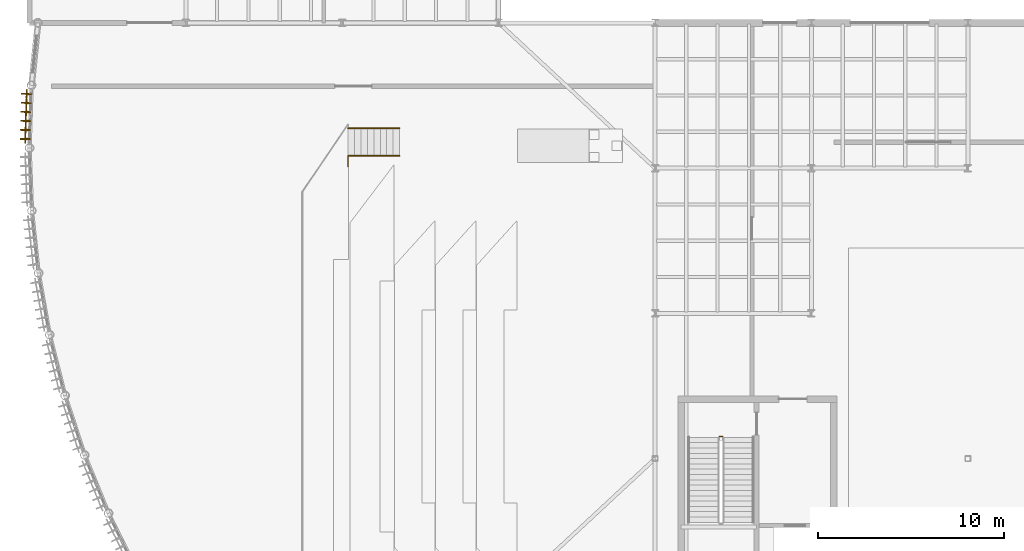
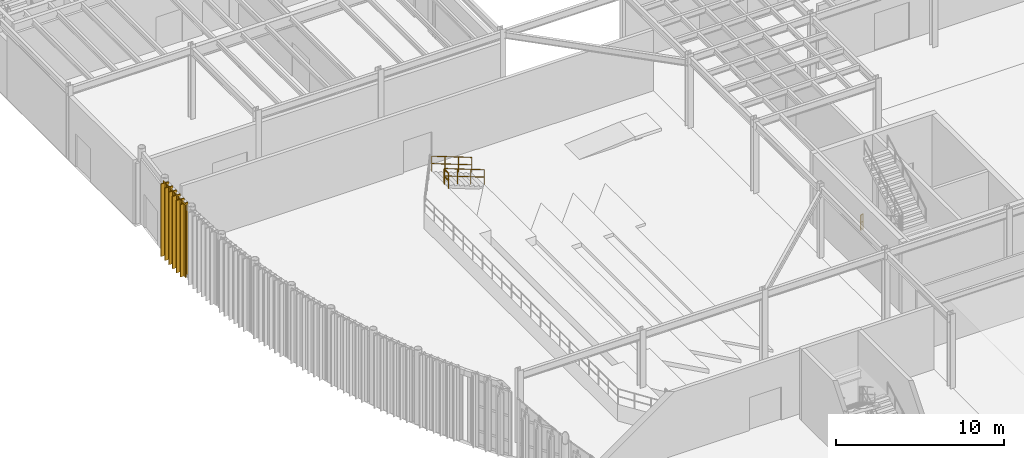
# One storey, part 80 of 87: 6 coverings, 6 shading devices, 4 railings.
"""IFC4 building model written with IfcOpenShell, lengths in metres."""

from ifc_helpers import new_model, si_unit, direction, frame, origin, origin_2d, place, context, subcontext, project, spatial, polyline, rectangle, circle, outline, extrude, material, layer, layer_set, material_profile, profile_set, type_object, element, save


model = new_model("IFC4")

# Units and contexts
model_context = context("Model", 3, precision=1e-05, world=origin(), true_north=direction((0.0, 1.0)))
body_context = subcontext(model_context, "Body", "Model", "MODEL_VIEW")
ifc_project = project(units=[si_unit("LENGTHUNIT", "METRE"), si_unit("AREAUNIT", "SQUARE_METRE"), si_unit("VOLUMEUNIT", "CUBIC_METRE"), si_unit("PLANEANGLEUNIT", "RADIAN"), si_unit("MASSUNIT", "GRAM", prefix="KILO")], contexts=[model_context])

# Site, building, storey
site_placement = place(None, origin())
site = spatial("IfcSite", under=ifc_project, at=site_placement, CompositionType="ELEMENT")
building_placement = place(site_placement, origin())
building = spatial("IfcBuilding", under=site, at=building_placement, Name="Selat Folded Stagehouse", CompositionType="ELEMENT")
storey_placement = place(building_placement, origin())
storey = spatial("IfcBuildingStorey", under=building, at=storey_placement, Name="L00", CompositionType="ELEMENT", Elevation=0.0)

# Coverings
ifc_material_1 = material(Name="Bronze-anodised aluminium 6063-T6", Category="aluminium")
ifc_layer_1 = layer(ifc_material_1, 0.06396484375)
ifc_layer_set_1 = layer_set([ifc_layer_1], Name="Bronze-anodised aluminium 6063-T6")
covering_type = type_object("IfcCoveringType", Name="COV-FIN-BRZ53", PredefinedType="CLADDING", material=ifc_layer_set_1)
covering_1_placement = place(storey_placement, frame((0.0, 0.0, 0.050048828125)))
element("IfcCovering", 1, at=covering_1_placement, inside=storey, type_object=covering_type, Name="L00 drum bronze fin cladding sheath 031", PredefinedType="CLADDING", context=body_context, shape_type="SweptSolid", body=[
    extrude(outline(polyline([(0.1162109375, 50.798583984375), (-0.4228515625, 50.82958984375), (-0.426513671875, 50.765869140625), (0.112548828125, 50.734619140625), (0.1162109375, 50.798583984375)])), origin(), (0.0, 0.0, 1.0), 5.27001953125),
])
covering_2_placement = place(storey_placement, frame((0.0, 0.0, 0.050048828125)))
element("IfcCovering", 2, at=covering_2_placement, inside=storey, type_object=covering_type, Name="L00 drum bronze fin cladding sheath 037", PredefinedType="CLADDING", context=body_context, shape_type="SweptSolid", body=[
    extrude(outline(polyline([(0.10009765625, 50.31787109375), (-0.439208984375, 50.343505859375), (-0.4423828125, 50.279541015625), (0.09716796875, 50.25390625), (0.10009765625, 50.31787109375)])), origin(), (0.0, 0.0, 1.0), 5.27001953125),
])
covering_3_placement = place(storey_placement, frame((0.0, 0.0, 0.050048828125)))
element("IfcCovering", 3, at=covering_3_placement, inside=storey, type_object=covering_type, Name="L00 drum bronze fin cladding sheath 043", PredefinedType="CLADDING", context=body_context, shape_type="SweptSolid", body=[
    extrude(outline(polyline([(0.083984375, 49.8369140625), (-0.45556640625, 49.857421875), (-0.4580078125, 49.793212890625), (0.081787109375, 49.77294921875), (0.083984375, 49.8369140625)])), origin(), (0.0, 0.0, 1.0), 5.27001953125),
])
covering_4_placement = place(storey_placement, frame((0.0, 0.0, 0.050048828125)))
element("IfcCovering", 4, at=covering_4_placement, inside=storey, type_object=covering_type, Name="L00 drum bronze fin cladding sheath 049", PredefinedType="CLADDING", context=body_context, shape_type="SweptSolid", body=[
    extrude(outline(polyline([(0.068115234375, 49.356201171875), (-0.4716796875, 49.37109375), (-0.473388671875, 49.30712890625), (0.06640625, 49.2919921875), (0.068115234375, 49.356201171875)])), origin(), (0.0, 0.0, 1.0), 5.27001953125),
])
covering_5_placement = place(storey_placement, frame((0.0, 0.0, 0.050048828125)))
element("IfcCovering", 5, at=covering_5_placement, inside=storey, type_object=covering_type, Name="L00 drum bronze fin cladding sheath 055", PredefinedType="CLADDING", context=body_context, shape_type="SweptSolid", body=[
    extrude(outline(polyline([(0.052001953125, 48.875244140625), (-0.48779296875, 48.884765625), (-0.489013671875, 48.82080078125), (0.051025390625, 48.811279296875), (0.052001953125, 48.875244140625)])), origin(), (0.0, 0.0, 1.0), 5.27001953125),
])
covering_6_placement = place(storey_placement, frame((0.0, 0.0, 0.050048828125)))
element("IfcCovering", 6, at=covering_6_placement, inside=storey, type_object=covering_type, Name="L00 drum bronze fin cladding sheath 061", PredefinedType="CLADDING", context=body_context, shape_type="SweptSolid", body=[
    extrude(outline(polyline([(0.0361328125, 48.39453125), (-0.50390625, 48.398681640625), (-0.50439453125, 48.334716796875), (0.03564453125, 48.33056640625), (0.0361328125, 48.39453125)])), origin(), (0.0, 0.0, 1.0), 5.27001953125),
])

# Railings
ifc_material_2 = material(Name="Bronze-anodised steel balustrade", Category="steel")
ifc_layer_2 = layer(ifc_material_2, 0.06494140625)
ifc_layer_set_2 = layer_set([ifc_layer_2], Name="Bronze-anodised steel balustrade")
railing_type = type_object("IfcRailingType", Name="RLG-BAL-1120", PredefinedType="BALUSTRADE", material=ifc_layer_set_2)
railing_1_placement = place(storey_placement, frame((17.110107421875, 46.89990234375, 1.215087890625)))
element("IfcRailing", 7, at=railing_1_placement, inside=storey, type_object=railing_type, Name="L00 protective guard railing 015", PredefinedType="BALUSTRADE", context=body_context, shape_type="SweptSolid", body=[
    extrude(circle(Radius=0.02392578125, at=origin_2d()), frame((0.0, 0.0, 1.09619140625), z_axis=(0.0, 1.0, 0.0), x_axis=(-1.0, 0.0, 0.0)), (0.0, 0.0, 1.0), 0.5),
    extrude(circle(Radius=0.02392578125, at=origin_2d()), frame((0.0, 0.0, 0.56005859375), z_axis=(0.0, 1.0, 0.0), x_axis=(-1.0, 0.0, 0.0)), (0.0, 0.0, 1.0), 0.5),
    extrude(circle(Radius=0.02099609375, at=origin_2d()), origin(), (0.0, 0.0, 1.0), 1.072021484375),
    extrude(circle(Radius=0.02099609375, at=origin_2d()), frame((0.0, 0.5, 0.0)), (0.0, 0.0, 1.0), 1.072021484375),
])
railing_2_placement = place(storey_placement, frame((37.06005859375, 32.389892578125, 0.0)))
element("IfcRailing", 8, at=railing_2_placement, inside=storey, type_object=railing_type, Name="L00 ST-01 stair well guard 4", PredefinedType="BALUSTRADE", context=body_context, shape_type="SweptSolid", body=[
    extrude(circle(Radius=0.02392578125, at=origin_2d()), frame((0.0, 0.0, 1.09619140625), z_axis=(1.0, 0.0, 0.0), x_axis=(0.0, 1.0, 0.0)), (0.0, 0.0, 1.0), 0.159912109375),
    extrude(circle(Radius=0.02392578125, at=origin_2d()), frame((0.0, 0.0, 0.56005859375), z_axis=(1.0, 0.0, 0.0), x_axis=(0.0, 1.0, 0.0)), (0.0, 0.0, 1.0), 0.159912109375),
    extrude(circle(Radius=0.02099609375, at=origin_2d()), origin(), (0.0, 0.0, 1.0), 1.072021484375),
    extrude(circle(Radius=0.02099609375, at=origin_2d()), frame((0.159912109375, 0.0, 0.0)), (0.0, 0.0, 1.0), 1.072021484375),
])
for number, where, name in (
    (9, (19.8798828125, 47.4599609375, 0.159912109375), "L00 aisle stair balustrade STA-MT-L00-N-S"),
    (10, (19.8798828125, 48.93994140625, 0.159912109375), "L00 aisle stair balustrade STA-MT-L00-N-N"),
):
    element("IfcRailing", number, at=place(storey_placement, frame(where)), inside=storey, type_object=railing_type, Name=name, PredefinedType="BALUSTRADE", context=body_context, shape_type="SweptSolid", body=[
        extrude(circle(Radius=0.02392578125, at=origin_2d()), frame((0.0, 0.0, 1.09619140625), z_axis=(-0.93405507767, 0.0, 0.357128984933), x_axis=(0.0, -1.0, 0.0)), (0.0, 0.0, 1.0), 2.95458984375),
        extrude(circle(Radius=0.02392578125, at=origin_2d()), frame((0.0, 0.0, 0.56005859375), z_axis=(-0.93405507767, 0.0, 0.357128984933), x_axis=(0.0, -1.0, 0.0)), (0.0, 0.0, 1.0), 2.95458984375),
        extrude(circle(Radius=0.02099609375, at=origin_2d()), origin(), (0.0, 0.0, 1.0), 1.072021484375),
        extrude(circle(Radius=0.02099609375, at=origin_2d()), frame((-0.919921875, 0.0, 0.351806640625)), (0.0, 0.0, 1.0), 1.072021484375),
        extrude(circle(Radius=0.02099609375, at=origin_2d()), frame((-1.83984375, 0.0, 0.703369140625)), (0.0, 0.0, 1.0), 1.072021484375),
        extrude(circle(Radius=0.02099609375, at=origin_2d()), frame((-2.759765625, 0.0, 1.05517578125)), (0.0, 0.0, 1.0), 1.072021484375),
    ])

# Shading devices
ifc_material_profile = material_profile(ifc_material_1, rectangle(XDim=0.06005859375, YDim=0.47998046875, at=origin_2d()), Name="SOLAR-FIN 480x60")
ifc_profile_set = profile_set([ifc_material_profile], Name="Bronze-anodised aluminium 6063-T6")
shading_device_type = type_object("IfcShadingDeviceType", Name="SHD-FIN-480x60", PredefinedType="USERDEFINED", material=ifc_profile_set)
for number, where, z_axis, x_axis, name in (
    (11, (-0.145263671875, 50.781494140625, 0.050048828125), (0.0, 0.0, 1.0), (-0.99833175459, 0.0577382696, 0.0), "L00 drum vertical bronze solar fin 031"),
    (12, (-0.1611328125, 50.298095703125, 0.050048828125), (0.0, 0.0, 1.0), (-0.998865073158, 0.047629461744, 0.0), "L00 drum vertical bronze solar fin 037"),
    (13, (-0.177001953125, 49.814697265625, 0.050048828125), (0.0, 0.0, 1.0), (-0.999289472641, 0.03769018267, 0.0), "L00 drum vertical bronze solar fin 043"),
    (14, (-0.192626953125, 49.331298828125, 0.050048828125), (0.0, 0.0, 1.0), (-0.999619800631, 0.027572707275, 0.0), "L00 drum vertical bronze solar fin 049"),
    (15, (-0.20849609375, 48.847900390625, 0.050048828125), (0.0, 0.0, 1.0), (-0.999844633908, 0.017626912514, 0.0), "L00 drum vertical bronze solar fin 055"),
    (16, (-0.22412109375, 48.364501953125, 0.050048828125), (0.0, 0.0, 1.0), (-0.999971838252, 0.007504845333, 0.0), "L00 drum vertical bronze solar fin 061"),
):
    element("IfcShadingDevice", number, at=place(storey_placement, frame(where, z_axis=z_axis, x_axis=x_axis)), inside=storey, type_object=shading_device_type, Name=name, ObjectType="FIN", PredefinedType="USERDEFINED", context=body_context, shape_type="SweptSolid", body=[
        extrude(rectangle(XDim=0.06005859375, YDim=0.47998046875, at=origin_2d()), origin(), (0.0, 0.0, 1.0), 5.27001953125),
    ])

save(model, "model.ifc")
